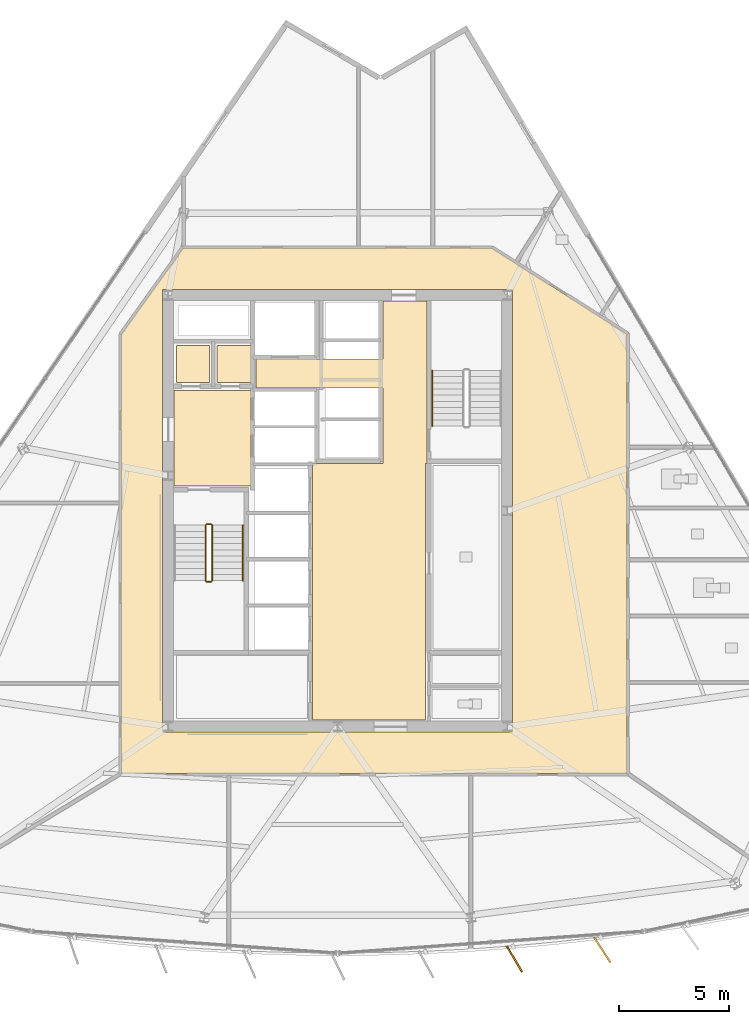
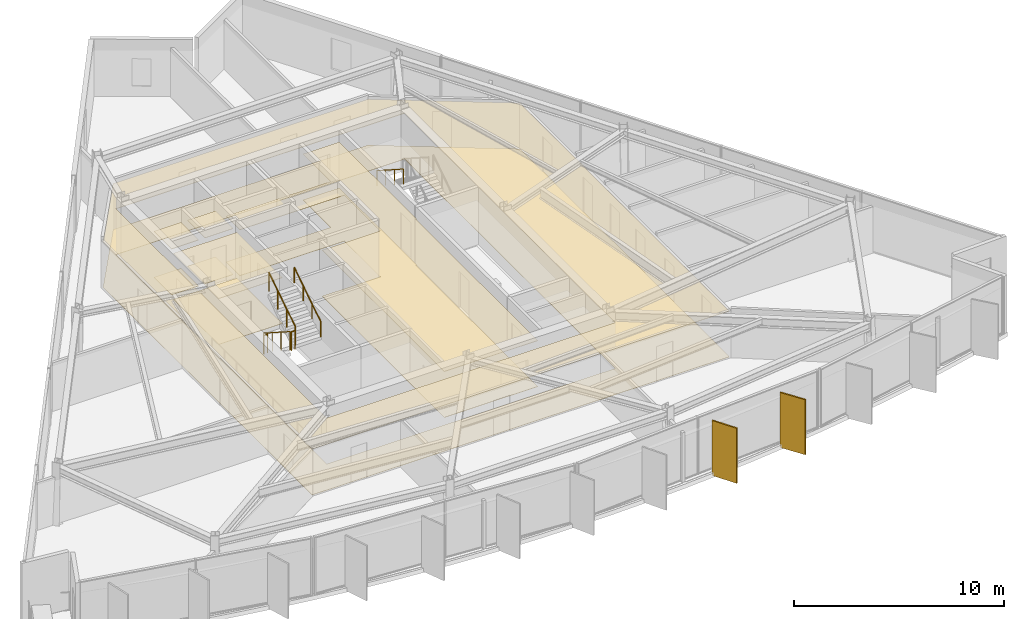
# One storey, part 12 of 15: 10 coverings, 6 railings, 2 shading devices.
"""IFC4 building model written with IfcOpenShell, lengths in metres."""

from ifc_helpers import new_model, si_unit, direction, frame, origin, origin_2d, place, context, subcontext, project, spatial, polyline, rectangle, circle, outline, extrude, material, layer, layer_set, type_object, element, save


model = new_model("IFC4")

# Units and contexts
model_context = context("Model", 3, precision=1e-05, world=origin(), true_north=direction((0.0, 1.0)))
body_context = subcontext(model_context, "Body", "Model", "MODEL_VIEW")
ifc_project = project(units=[si_unit("LENGTHUNIT", "METRE"), si_unit("AREAUNIT", "SQUARE_METRE"), si_unit("VOLUMEUNIT", "CUBIC_METRE"), si_unit("PLANEANGLEUNIT", "RADIAN"), si_unit("MASSUNIT", "GRAM", prefix="KILO")], contexts=[model_context])

# Site, building, storey
site_placement = place(None, origin())
site = spatial("IfcSite", under=ifc_project, at=site_placement, CompositionType="ELEMENT")
building_placement = place(site_placement, origin())
building = spatial("IfcBuilding", under=site, at=building_placement, Name="Savorim Split Tower", CompositionType="ELEMENT")
storey_placement = place(building_placement, frame((0.0, 0.0, 142.199951171875)))
storey = spatial("IfcBuildingStorey", under=building, at=storey_placement, Name="L37", CompositionType="ELEMENT", Elevation=142.199951171875)

# Coverings
ifc_material_1 = material(Name="Mineral Fibre Acoustic Ceiling")
ifc_layer_1 = layer(ifc_material_1, 0.02490234375)
ifc_layer_set_1 = layer_set([ifc_layer_1], Name="COV-CEIL-25")
covering_type_1 = type_object("IfcCoveringType", Name="COV-CEIL-25", PredefinedType="CEILING", material=ifc_layer_set_1)
covering_1_placement = place(storey_placement, frame((0.0, 0.0, 2.670166015625)))
element("IfcCovering", 1, at=covering_1_placement, inside=storey, type_object=covering_type_1, Name="L37 Firefighting Lift Lobby Acoustic Ceiling", PredefinedType="CEILING", context=body_context, shape_type="SweptSolid", body=[
    extrude(outline(polyline([(-7.429931640625, 5.8701171875), (-7.429931640625, 1.530029296875), (-3.929931640625, 1.530029296875), (-3.929931640625, 5.8701171875), (-7.429931640625, 5.8701171875)])), origin(), (0.0, 0.0, 1.0), 0.02490234375),
])
covering_2_placement = place(storey_placement, frame((0.0, 0.0, 2.670166015625)))
element("IfcCovering", 2, at=covering_2_placement, inside=storey, type_object=covering_type_1, Name="L37 Electrical Riser Acoustic Ceiling", PredefinedType="CEILING", context=body_context, shape_type="SweptSolid", body=[
    extrude(outline(polyline([(-7.320068359375, 7.919921875), (-7.320068359375, 6.22998046875), (-5.830078125, 6.22998046875), (-5.830078125, 7.919921875), (-7.320068359375, 7.919921875)])), origin(), (0.0, 0.0, 1.0), 0.02490234375),
])
covering_3_placement = place(storey_placement, frame((0.0, 0.0, 2.670166015625)))
element("IfcCovering", 3, at=covering_3_placement, inside=storey, type_object=covering_type_1, Name="L37 Telecom Riser Acoustic Ceiling", PredefinedType="CEILING", context=body_context, shape_type="SweptSolid", body=[
    extrude(outline(polyline([(-5.469970703125, 7.919921875), (-5.469970703125, 6.22998046875), (-3.929931640625, 6.22998046875), (-3.929931640625, 7.919921875), (-5.469970703125, 7.919921875)])), origin(), (0.0, 0.0, 1.0), 0.02490234375),
])
covering_4_placement = place(storey_placement, frame((0.0, 0.0, 2.670166015625)))
element("IfcCovering", 4, at=covering_4_placement, inside=storey, type_object=covering_type_1, Name="L37 Lift Lobby Acoustic Ceiling", PredefinedType="CEILING", context=body_context, shape_type="SweptSolid", body=[
    extrude(outline(polyline([(2.050048828125, 2.550048828125), (-1.14990234375, 2.550048828125), (-1.14990234375, -9.10009765625), (4.0, -9.10009765625), (4.0, 2.550048828125), (4.050048828125, 2.550048828125), (4.050048828125, 5.97998046875), (4.050048828125, 7.300048828125), (4.050048828125, 9.929931640625), (2.050048828125, 9.929931640625), (2.050048828125, 7.300048828125), (-3.699951171875, 7.300048828125), (-3.699951171875, 5.97998046875), (2.050048828125, 5.97998046875), (2.050048828125, 2.550048828125)])), origin(), (0.0, 0.0, 1.0), 0.02490234375),
])
covering_5_placement = place(storey_placement, frame((0.0, 0.0, 2.670166015625)))
element("IfcCovering", 5, at=covering_5_placement, inside=storey, type_object=covering_type_1, Name="L37 Corridor Acoustic Ceiling", PredefinedType="CEILING", context=body_context, shape_type="SweptSolid", body=[
    extrude(outline(polyline([(7.009521484375, 12.3291015625), (7.004638671875, 12.329833984375), (7.0, 12.330078125), (-7.0, 12.330078125), (-7.004638671875, 12.329833984375), (-7.009521484375, 12.3291015625), (-7.013916015625, 12.327880859375), (-7.0185546875, 12.326416015625), (-7.022705078125, 12.324462890625), (-7.027099609375, 12.322021484375), (-7.03076171875, 12.3193359375), (-7.034423828125, 12.31640625), (-7.03759765625, 12.312744140625), (-7.04052734375, 12.30908203125), (-9.820556640625, 8.42919921875), (-9.823486328125, 8.4248046875), (-9.82568359375, 8.420166015625), (-9.82763671875, 8.415283203125), (-9.828857421875, 8.410400390625), (-9.82958984375, 8.4052734375), (-9.830078125, 8.39990234375), (-9.830078125, -11.47998046875), (-9.829833984375, -11.48486328125), (-9.8291015625, -11.48974609375), (-9.827880859375, -11.494384765625), (-9.826171875, -11.4990234375), (-9.82421875, -11.503662109375), (-9.821533203125, -11.5078125), (-9.818603515625, -11.51171875), (-9.8154296875, -11.515380859375), (-9.811767578125, -11.518798828125), (-9.807861328125, -11.521484375), (-9.8037109375, -11.524169921875), (-9.799072265625, -11.526123046875), (-9.79443359375, -11.52783203125), (-9.789794921875, -11.529052734375), (-9.784912109375, -11.52978515625), (-9.780029296875, -11.530029296875), (13.10009765625, -11.530029296875), (13.10498046875, -11.52978515625), (13.10986328125, -11.529052734375), (13.114501953125, -11.52783203125), (13.119140625, -11.526123046875), (13.12353515625, -11.524169921875), (13.127685546875, -11.521484375), (13.131591796875, -11.518798828125), (13.135498046875, -11.515380859375), (13.138671875, -11.51171875), (13.1416015625, -11.5078125), (13.14404296875, -11.503662109375), (13.146240234375, -11.4990234375), (13.147705078125, -11.494384765625), (13.14892578125, -11.48974609375), (13.14990234375, -11.48486328125), (13.14990234375, -11.47998046875), (13.14990234375, 8.39990234375), (13.149658203125, 8.405029296875), (13.14892578125, 8.409912109375), (13.147705078125, 8.414794921875), (13.14599609375, 8.41943359375), (13.143798828125, 8.424072265625), (13.14111328125, 8.42822265625), (13.13818359375, 8.432373046875), (13.134765625, 8.43603515625), (13.130859375, 8.439208984375), (13.126708984375, 8.442138671875), (7.02685546875, 12.322265625), (7.022705078125, 12.324462890625), (7.018310546875, 12.326416015625), (7.013916015625, 12.327880859375), (7.009521484375, 12.3291015625)]), holes=[polyline([(-7.949951171875, 10.449951171875), (-7.949951171875, -9.64990234375), (7.949951171875, -9.64990234375), (7.949951171875, 10.449951171875), (-7.949951171875, 10.449951171875)])]), origin(), (0.0, 0.0, 1.0), 0.02490234375),
])
ifc_material_2 = material(Name="Porcelain Stoneware Flooring", Category="masonry")
ifc_layer_2 = layer(ifc_material_2, 0.02001953125)
ifc_layer_set_2 = layer_set([ifc_layer_2], Name="COV-FLOR-20")
covering_type_2 = type_object("IfcCoveringType", Name="COV-FLOR-20", PredefinedType="FLOORING", material=ifc_layer_set_2)
covering_6_placement = place(storey_placement, origin())
element("IfcCovering", 6, at=covering_6_placement, inside=storey, type_object=covering_type_2, Name="L37 Firefighting Lift Lobby Porcelain Flooring", PredefinedType="FLOORING", context=body_context, shape_type="SweptSolid", body=[
    extrude(outline(polyline([(-7.429931640625, 5.8701171875), (-7.429931640625, 1.530029296875), (-3.929931640625, 1.530029296875), (-3.929931640625, 5.8701171875), (-7.429931640625, 5.8701171875)])), origin(), (0.0, 0.0, 1.0), 0.02001953125),
])
covering_7_placement = place(storey_placement, origin())
element("IfcCovering", 7, at=covering_7_placement, inside=storey, type_object=covering_type_2, Name="L37 Electrical Riser Porcelain Flooring", PredefinedType="FLOORING", context=body_context, shape_type="SweptSolid", body=[
    extrude(outline(polyline([(-7.320068359375, 7.919921875), (-7.320068359375, 6.22998046875), (-5.830078125, 6.22998046875), (-5.830078125, 7.919921875), (-7.320068359375, 7.919921875)])), origin(), (0.0, 0.0, 1.0), 0.02001953125),
])
covering_8_placement = place(storey_placement, origin())
element("IfcCovering", 8, at=covering_8_placement, inside=storey, type_object=covering_type_2, Name="L37 Telecom Riser Porcelain Flooring", PredefinedType="FLOORING", context=body_context, shape_type="SweptSolid", body=[
    extrude(outline(polyline([(-5.469970703125, 7.919921875), (-5.469970703125, 6.22998046875), (-3.929931640625, 6.22998046875), (-3.929931640625, 7.919921875), (-5.469970703125, 7.919921875)])), origin(), (0.0, 0.0, 1.0), 0.02001953125),
])
covering_9_placement = place(storey_placement, origin())
element("IfcCovering", 9, at=covering_9_placement, inside=storey, type_object=covering_type_2, Name="L37 Lift Lobby Porcelain Flooring", PredefinedType="FLOORING", context=body_context, shape_type="SweptSolid", body=[
    extrude(outline(polyline([(2.050048828125, 2.550048828125), (-1.14990234375, 2.550048828125), (-1.14990234375, -9.10009765625), (4.0, -9.10009765625), (4.0, 2.550048828125), (4.050048828125, 2.550048828125), (4.050048828125, 5.97998046875), (4.050048828125, 7.300048828125), (4.050048828125, 9.929931640625), (2.050048828125, 9.929931640625), (2.050048828125, 7.300048828125), (-3.699951171875, 7.300048828125), (-3.699951171875, 5.97998046875), (2.050048828125, 5.97998046875), (2.050048828125, 2.550048828125)])), origin(), (0.0, 0.0, 1.0), 0.02001953125),
])
covering_10_placement = place(storey_placement, origin())
element("IfcCovering", 10, at=covering_10_placement, inside=storey, type_object=covering_type_2, Name="L37 Corridor Porcelain Flooring", PredefinedType="FLOORING", context=body_context, shape_type="SweptSolid", body=[
    extrude(outline(polyline([(7.009521484375, 12.3291015625), (7.004638671875, 12.329833984375), (7.0, 12.330078125), (-7.0, 12.330078125), (-7.004638671875, 12.329833984375), (-7.009521484375, 12.3291015625), (-7.013916015625, 12.327880859375), (-7.0185546875, 12.326416015625), (-7.022705078125, 12.324462890625), (-7.027099609375, 12.322021484375), (-7.03076171875, 12.3193359375), (-7.034423828125, 12.31640625), (-7.03759765625, 12.312744140625), (-7.04052734375, 12.30908203125), (-9.820556640625, 8.42919921875), (-9.823486328125, 8.4248046875), (-9.82568359375, 8.420166015625), (-9.82763671875, 8.415283203125), (-9.828857421875, 8.410400390625), (-9.82958984375, 8.4052734375), (-9.830078125, 8.39990234375), (-9.830078125, -11.47998046875), (-9.829833984375, -11.48486328125), (-9.8291015625, -11.48974609375), (-9.827880859375, -11.494384765625), (-9.826171875, -11.4990234375), (-9.82421875, -11.503662109375), (-9.821533203125, -11.5078125), (-9.818603515625, -11.51171875), (-9.8154296875, -11.515380859375), (-9.811767578125, -11.518798828125), (-9.807861328125, -11.521484375), (-9.8037109375, -11.524169921875), (-9.799072265625, -11.526123046875), (-9.79443359375, -11.52783203125), (-9.789794921875, -11.529052734375), (-9.784912109375, -11.52978515625), (-9.780029296875, -11.530029296875), (13.10009765625, -11.530029296875), (13.10498046875, -11.52978515625), (13.10986328125, -11.529052734375), (13.114501953125, -11.52783203125), (13.119140625, -11.526123046875), (13.12353515625, -11.524169921875), (13.127685546875, -11.521484375), (13.131591796875, -11.518798828125), (13.135498046875, -11.515380859375), (13.138671875, -11.51171875), (13.1416015625, -11.5078125), (13.14404296875, -11.503662109375), (13.146240234375, -11.4990234375), (13.147705078125, -11.494384765625), (13.14892578125, -11.48974609375), (13.14990234375, -11.48486328125), (13.14990234375, -11.47998046875), (13.14990234375, 8.39990234375), (13.149658203125, 8.405029296875), (13.14892578125, 8.409912109375), (13.147705078125, 8.414794921875), (13.14599609375, 8.41943359375), (13.143798828125, 8.424072265625), (13.14111328125, 8.42822265625), (13.13818359375, 8.432373046875), (13.134765625, 8.43603515625), (13.130859375, 8.439208984375), (13.126708984375, 8.442138671875), (7.02685546875, 12.322265625), (7.022705078125, 12.324462890625), (7.018310546875, 12.326416015625), (7.013916015625, 12.327880859375), (7.009521484375, 12.3291015625)]), holes=[polyline([(-7.949951171875, 10.449951171875), (-7.949951171875, -9.64990234375), (7.949951171875, -9.64990234375), (7.949951171875, 10.449951171875), (-7.949951171875, 10.449951171875)])]), origin(), (0.0, 0.0, 1.0), 0.02001953125),
])

# Railings
ifc_material_3 = material(Name="Galvanised Painted Steel Balustrade", Category="steel")
railing_type_1 = type_object("IfcRailingType", Name="RLG-HR-900", PredefinedType="HANDRAIL", material=ifc_material_3)
railing_1_placement = place(storey_placement, frame((-4.300048828125, -2.77001953125, 1.97998046875)))
element("IfcRailing", 11, at=railing_1_placement, inside=storey, type_object=railing_type_1, Name="L37 ST-1 stair handrail 2", PredefinedType="HANDRAIL", context=body_context, shape_type="SweptSolid", body=[
    extrude(circle(Radius=0.02392578125, at=origin_2d()), frame((0.0, 0.0, 0.8759765625), z_axis=(0.0, 0.841162588446, 0.540782303519), x_axis=(-1.0, 0.0, 0.0)), (0.0, 0.0, 1.0), 2.995849609375),
    extrude(circle(Radius=0.02099609375, at=origin_2d()), origin(), (0.0, 0.0, 1.0), 0.851806640625),
    extrude(circle(Radius=0.02099609375, at=origin_2d()), frame((0.0, 0.840087890625, 0.5400390625)), (0.0, 0.0, 1.0), 0.851806640625),
    extrude(circle(Radius=0.02099609375, at=origin_2d()), frame((0.0, 1.679931640625, 1.080078125)), (0.0, 0.0, 1.0), 0.851806640625),
    extrude(circle(Radius=0.02099609375, at=origin_2d()), frame((0.0, 2.52001953125, 1.6201171875)), (0.0, 0.0, 1.0), 0.851806640625),
])
railing_2_placement = place(storey_placement, frame((4.300048828125, 6.77001953125, 1.97998046875)))
element("IfcRailing", 12, at=railing_2_placement, inside=storey, type_object=railing_type_1, Name="L37 ST-2 stair handrail 2", PredefinedType="HANDRAIL", context=body_context, shape_type="SweptSolid", body=[
    extrude(circle(Radius=0.02392578125, at=origin_2d()), frame((0.0, 0.0, 0.8759765625), z_axis=(0.0, -0.841162588446, 0.540782303519), x_axis=(1.0, 0.0, 0.0)), (0.0, 0.0, 1.0), 2.995849609375),
    extrude(circle(Radius=0.02099609375, at=origin_2d()), origin(), (0.0, 0.0, 1.0), 0.851806640625),
    extrude(circle(Radius=0.02099609375, at=origin_2d()), frame((0.0, -0.840087890625, 0.5400390625)), (0.0, 0.0, 1.0), 0.851806640625),
    extrude(circle(Radius=0.02099609375, at=origin_2d()), frame((0.0, -1.679931640625, 1.080078125)), (0.0, 0.0, 1.0), 0.851806640625),
    extrude(circle(Radius=0.02099609375, at=origin_2d()), frame((0.0, -2.52001953125, 1.6201171875)), (0.0, 0.0, 1.0), 0.851806640625),
])
railing_type_2 = type_object("IfcRailingType", Name="RLG-STG-1100", PredefinedType="BALUSTRADE", material=ifc_material_3)
railing_3_placement = place(storey_placement, frame((-6.0, -0.25, 0.179931640625)))
element("IfcRailing", 13, at=railing_3_placement, inside=storey, type_object=railing_type_2, Name="L37 ST-1 stair guard 1", PredefinedType="BALUSTRADE", context=body_context, shape_type="SweptSolid", body=[
    extrude(circle(Radius=0.02392578125, at=origin_2d()), frame((0.0, 0.0, 1.076171875), z_axis=(0.0, -0.841162588446, 0.540782303519), x_axis=(1.0, 0.0, 0.0)), (0.0, 0.0, 1.0), 2.995849609375),
    extrude(circle(Radius=0.02099609375, at=origin_2d()), origin(), (0.0, 0.0, 1.0), 1.052001953125),
    extrude(circle(Radius=0.02099609375, at=origin_2d()), frame((0.0, -0.840087890625, 0.5400390625)), (0.0, 0.0, 1.0), 1.052001953125),
    extrude(circle(Radius=0.02099609375, at=origin_2d()), frame((0.0, -1.679931640625, 1.080078125)), (0.0, 0.0, 1.0), 1.052001953125),
    extrude(circle(Radius=0.02099609375, at=origin_2d()), frame((0.0, -2.52001953125, 1.6201171875)), (0.0, 0.0, 1.0), 1.052001953125),
])
railing_4_placement = place(storey_placement, frame((-5.949951171875, -2.820068359375, 1.800048828125)))
element("IfcRailing", 14, at=railing_4_placement, inside=storey, type_object=railing_type_2, Name="L37 ST-1 stair guard 2", PredefinedType="BALUSTRADE", context=body_context, shape_type="SweptSolid", body=[
    extrude(circle(Radius=0.02392578125, at=origin_2d()), frame((0.0, 0.0, 1.076171875), z_axis=(1.0, 0.0, 0.0), x_axis=(0.0, 1.0, 0.0)), (0.0, 0.0, 1.0), 0.199951171875),
    extrude(circle(Radius=0.02099609375, at=origin_2d()), origin(), (0.0, 0.0, 1.0), 1.052001953125),
    extrude(circle(Radius=0.02099609375, at=origin_2d()), frame((0.199951171875, 0.0, 0.0)), (0.0, 0.0, 1.0), 1.052001953125),
])
railing_5_placement = place(storey_placement, frame((-5.699951171875, -2.77001953125, 1.97998046875)))
element("IfcRailing", 15, at=railing_5_placement, inside=storey, type_object=railing_type_2, Name="L37 ST-1 stair guard 3", PredefinedType="BALUSTRADE", context=body_context, shape_type="SweptSolid", body=[
    extrude(circle(Radius=0.02392578125, at=origin_2d()), frame((0.0, 0.0, 1.076171875), z_axis=(0.0, 0.841162588446, 0.540782303519), x_axis=(-1.0, 0.0, 0.0)), (0.0, 0.0, 1.0), 2.995849609375),
    extrude(circle(Radius=0.02099609375, at=origin_2d()), origin(), (0.0, 0.0, 1.0), 1.052001953125),
    extrude(circle(Radius=0.02099609375, at=origin_2d()), frame((0.0, 0.840087890625, 0.5400390625)), (0.0, 0.0, 1.0), 1.052001953125),
    extrude(circle(Radius=0.02099609375, at=origin_2d()), frame((0.0, 1.679931640625, 1.080078125)), (0.0, 0.0, 1.0), 1.052001953125),
    extrude(circle(Radius=0.02099609375, at=origin_2d()), frame((0.0, 2.52001953125, 1.6201171875)), (0.0, 0.0, 1.0), 1.052001953125),
])
railing_6_placement = place(storey_placement, frame((-5.949951171875, -0.199951171875, 0.0)))
element("IfcRailing", 16, at=railing_6_placement, inside=storey, type_object=railing_type_2, Name="L37 ST-1 stair guard 4", PredefinedType="BALUSTRADE", context=body_context, shape_type="SweptSolid", body=[
    extrude(circle(Radius=0.02392578125, at=origin_2d()), frame((0.0, 0.0, 1.076171875), z_axis=(1.0, 0.0, 0.0), x_axis=(0.0, 1.0, 0.0)), (0.0, 0.0, 1.0), 0.199951171875),
    extrude(circle(Radius=0.02099609375, at=origin_2d()), origin(), (0.0, 0.0, 1.0), 1.052001953125),
    extrude(circle(Radius=0.02099609375, at=origin_2d()), frame((0.199951171875, 0.0, 0.0)), (0.0, 0.0, 1.0), 1.052001953125),
])

# Shading devices
ifc_material_4 = material(Name="Terracotta Ceramic-Coated Aluminium Fin", Category="masonry")
shading_device_type = type_object("IfcShadingDeviceType", Name="SHD-FIN-1360", PredefinedType="USERDEFINED", material=ifc_material_4)
for number, where, z_axis, x_axis, name in (
    (17, (8.0234375, -19.948974609375, -0.19970703125), (0.0, 0.0, 1.0), (0.510391336723, -0.859942255851, 0.0), "L37 Sawtooth Shading Fin 09"),
    (18, (12.0185546875, -19.538818359375, -0.19970703125), (0.0, 0.0, 1.0), (0.545148321708, -0.838339613366, 0.0), "L37 Sawtooth Shading Fin 10"),
):
    element("IfcShadingDevice", number, at=place(storey_placement, frame(where, z_axis=z_axis, x_axis=x_axis)), inside=storey, type_object=shading_device_type, Name=name, ObjectType="FIN", PredefinedType="USERDEFINED", context=body_context, shape_type="SweptSolid", body=[
        extrude(rectangle(XDim=1.360107421875, YDim=0.080078125, at=origin_2d()), origin(), (0.0, 0.0, 1.0), 3.199951171875),
    ])

save(model, "model.ifc")
